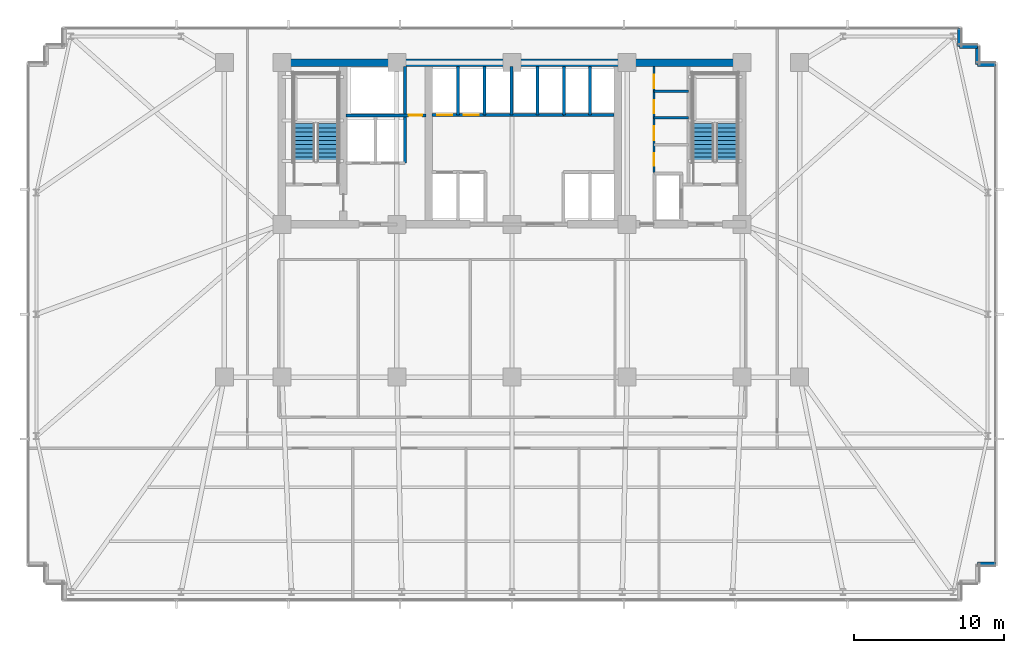
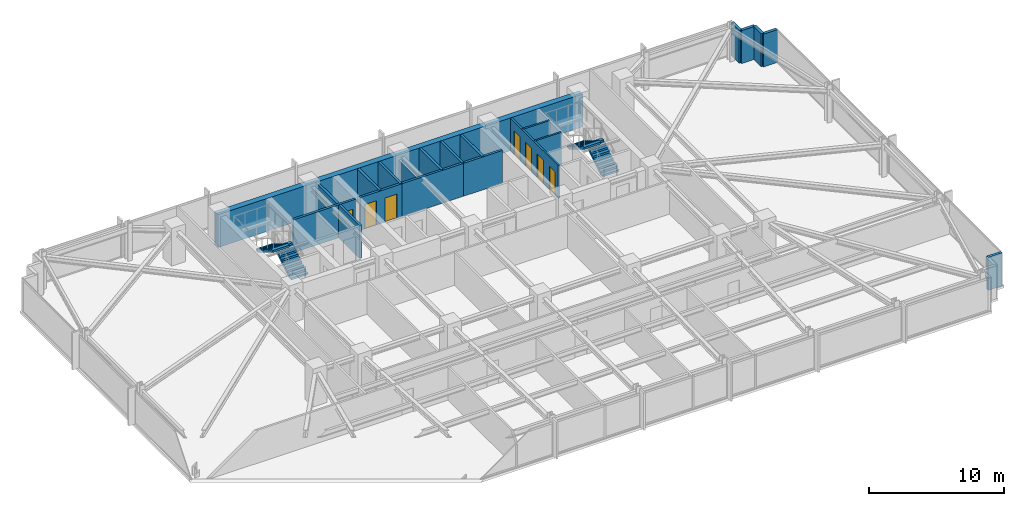
# One storey, part 26 of 32: 20 walls, 7 doors, 4 stair flights, 7 openings, 2 elements without a shape of their own.
"""IFC4 building model written with IfcOpenShell, lengths in metres."""

from ifc_helpers import new_model, si_unit, direction, frame, frame_2d, origin, place, context, subcontext, project, spatial, polyline, rectangle, outline, extrude, material, layer, layer_set, type_object, element, fill, aggregate, save


model = new_model("IFC4")

# Units and contexts
model_context = context("Model", 3, precision=1e-05, world=origin(), true_north=direction((0.0, 1.0)))
body_context = subcontext(model_context, "Body", "Model", "MODEL_VIEW")
ifc_project = project(units=[si_unit("LENGTHUNIT", "METRE"), si_unit("AREAUNIT", "SQUARE_METRE"), si_unit("VOLUMEUNIT", "CUBIC_METRE"), si_unit("PLANEANGLEUNIT", "RADIAN"), si_unit("MASSUNIT", "GRAM", prefix="KILO")], contexts=[model_context])

# Site, building, storey
site_placement = place(None, origin())
site = spatial("IfcSite", under=ifc_project, at=site_placement, CompositionType="ELEMENT")
building_placement = place(site_placement, origin())
building = spatial("IfcBuilding", under=site, at=building_placement, Name="Yelkora Congress Tower", CompositionType="ELEMENT")
storey_placement = place(building_placement, frame((0.0, 0.0, 74.60009765625)))
storey = spatial("IfcBuildingStorey", under=building, at=storey_placement, Name="L19", CompositionType="ELEMENT", Elevation=74.60009765625)

# Walls
ifc_material_1 = material(Name="Concrete C60/75", Category="concrete")
ifc_layer_1 = layer(ifc_material_1, 0.5)
ifc_layer_set_1 = layer_set([ifc_layer_1], Name="Concrete C60/75")
wall_type_1 = type_object("IfcWallType", Name="WALL-CORE-INT-500", PredefinedType="SHEAR", material=ifc_layer_set_1)
wall_1_placement = place(storey_placement, frame((22.7900390625, 46.199951171875, 0.0), z_axis=(0.0, 0.0, 1.0), x_axis=(1.0, 0.0, 0.0)))
element("IfcWall", 1, at=wall_1_placement, inside=storey, type_object=wall_type_1, Name="L19 Rear Core North Shear Wall", PredefinedType="SHEAR", context=body_context, shape_type="SweptSolid", body=[
    extrude(rectangle(XDim=31.219970703125, YDim=0.5, at=frame_2d((15.60986328125, 0.0))), origin(), (0.0, 0.0, 1.0), 2.97998046875),
])
ifc_material_2 = material(Name="Concrete C40/50", Category="concrete")
ifc_layer_2 = layer(ifc_material_2, 0.239990234375)
ifc_layer_set_2 = layer_set([ifc_layer_2], Name="Concrete C40/50")
wall_type_2 = type_object("IfcWallType", Name="WALL-EXT-LIMESTONE-240", PredefinedType="SOLIDWALL", material=ifc_layer_set_2)
for number, where, z_axis, x_axis, name in (
    (2, (68.260009765625, 48.4599609375, 0.0), (0.0, 0.0, 1.0), (0.0, -1.0, 0.0), "L19 Serrated Corner Limestone Pier 11"),
    (3, (68.260009765625, 47.260009765625, 0.0), (0.0, 0.0, 1.0), (1.0, 0.0, 0.0), "L19 Serrated Corner Limestone Pier 12"),
    (4, (69.4599609375, 47.260009765625, 0.0), (0.0, 0.0, 1.0), (0.0, -1.0, 0.0), "L19 Serrated Corner Limestone Pier 13"),
    (5, (69.4599609375, 46.06005859375, 0.0), (0.0, 0.0, 1.0), (1.0, 0.0, 0.0), "L19 Serrated Corner Limestone Pier 14"),
    (6, (70.659912109375, 12.739990234375, 0.0), (0.0, 0.0, 1.0), (-1.0, 0.0, 0.0), "L19 Serrated Corner Limestone Pier 16"),
):
    element("IfcWall", number, at=place(storey_placement, frame(where, z_axis=z_axis, x_axis=x_axis)), inside=storey, type_object=wall_type_2, Name=name, PredefinedType="SOLIDWALL", context=body_context, shape_type="SweptSolid", body=[
        extrude(rectangle(XDim=1.199951171875, YDim=0.239990234375, at=frame_2d((0.60009765625, 0.0))), origin(), (0.0, 0.0, 1.0), 2.97998046875),
    ])
ifc_material_3 = material(Name="Acoustic metal-stud gypsum partition", Category="gypsum")
ifc_layer_3 = layer(ifc_material_3, 0.14990234375)
ifc_layer_set_3 = layer_set([ifc_layer_3], Name="Acoustic metal-stud gypsum partition")
wall_type_3 = type_object("IfcWallType", Name="WALL-INT-150-NR", PredefinedType="PARTITIONING", material=ifc_layer_set_3)
for number, where, z_axis, x_axis, name in (
    (7, (47.8798828125, 42.52001953125, 0.0), (0.0, 0.0, 1.0), (1.0, 0.0, 0.0), "L19 Partition Wall 29"),
    (8, (47.8798828125, 44.280029296875, 0.0), (0.0, 0.0, 1.0), (1.0, 0.0, 0.0), "L19 Partition Wall 30"),
):
    element("IfcWall", number, at=place(storey_placement, frame(where, z_axis=z_axis, x_axis=x_axis)), inside=storey, type_object=wall_type_3, Name=name, PredefinedType="PARTITIONING", context=body_context, shape_type="SweptSolid", body=[
        extrude(rectangle(XDim=2.300048828125, YDim=0.14990234375, at=frame_2d((1.14990234375, 0.0))), origin(), (0.0, 0.0, 1.0), 2.97998046875),
    ])

# Wall, openings, doors
wall_2_placement = place(storey_placement, frame((47.8798828125, 38.85009765625, 0.0), z_axis=(0.0, 0.0, 1.0), x_axis=(0.0, 1.0, 0.0)))
wall_2 = element("IfcWall", 9, at=wall_2_placement, inside=storey, type_object=wall_type_3, Name="L19 Partition Wall 31", PredefinedType="PARTITIONING", context=body_context, shape_type="SweptSolid", body=[
    extrude(rectangle(XDim=7.06982421875, YDim=0.14990234375, at=frame_2d((3.534912109375, 0.0))), origin(), (0.0, 0.0, 1.0), 2.97998046875),
])
opening_1_placement = place(wall_2_placement, frame((0.449951171875, 0.0, 0.0)))
opening_1 = element("IfcOpeningElement", 10, at=opening_1_placement, cuts=wall_2, Name="Opening DR-085N", PredefinedType="OPENING", context=body_context, shape_type="SweptSolid", body=[
    extrude(rectangle(XDim=0.85009765625, YDim=2.14990234375, at=frame_2d((0.425048828125, 1.074951171875))), frame((0.0, 0.0849609375, 0.0), z_axis=(0.0, -1.0, 0.0), x_axis=(1.0, 0.0, 0.0)), (0.0, 0.0, 1.0), 0.169921875),
])
opening_2_placement = place(wall_2_placement, frame((2.14990234375, 0.0, 0.0)))
opening_2 = element("IfcOpeningElement", 11, at=opening_2_placement, cuts=wall_2, Name="Opening DR-095N", PredefinedType="OPENING", context=body_context, shape_type="SweptSolid", body=[
    extrude(rectangle(XDim=0.949951171875, YDim=2.14990234375, at=frame_2d((0.47509765625, 1.074951171875))), frame((0.0, 0.0849609375, 0.0), z_axis=(0.0, -1.0, 0.0), x_axis=(1.0, 0.0, 0.0)), (0.0, 0.0, 1.0), 0.169921875),
])
opening_3_placement = place(wall_2_placement, frame((3.949951171875, 0.0, 0.0)))
opening_3 = element("IfcOpeningElement", 12, at=opening_3_placement, cuts=wall_2, Name="Opening DR-090N", PredefinedType="OPENING", context=body_context, shape_type="SweptSolid", body=[
    extrude(rectangle(XDim=0.89990234375, YDim=2.14990234375, at=frame_2d((0.449951171875, 1.074951171875))), frame((0.0, 0.0849609375, 0.0), z_axis=(0.0, -1.0, 0.0), x_axis=(1.0, 0.0, 0.0)), (0.0, 0.0, 1.0), 0.169921875),
])
opening_4_placement = place(wall_2_placement, frame((5.64990234375, 0.0, 0.0)))
opening_4 = element("IfcOpeningElement", 13, at=opening_4_placement, cuts=wall_2, Name="Opening DR-090N", PredefinedType="OPENING", context=body_context, shape_type="SweptSolid", body=[
    extrude(rectangle(XDim=0.89990234375, YDim=2.14990234375, at=frame_2d((0.449951171875, 1.074951171875))), frame((0.0, 0.0849609375, 0.0), z_axis=(0.0, -1.0, 0.0), x_axis=(1.0, 0.0, 0.0)), (0.0, 0.0, 1.0), 0.169921875),
])
ifc_material_4 = material(Name="Laminate service store door leaf", Category="wood")
door_type_1 = type_object("IfcDoorType", Name="DOOR-INT-850", OperationType="NOTDEFINED", PredefinedType="DOOR", material=ifc_material_4)
door_1_placement = place(opening_1_placement, origin())
door_1 = element("IfcDoor", 14, at=door_1_placement, inside=storey, type_object=door_type_1, Name="L19 Janitor Room Door", OperationType="SINGLE_SWING_RIGHT", OverallHeight=2.14990234375, OverallWidth=0.85009765625, PredefinedType="DOOR", context=body_context, shape_type="SweptSolid", body=[
    extrude(rectangle(XDim=0.85009765625, YDim=2.14990234375, at=frame_2d((0.425048828125, 1.074951171875))), frame((0.0, 0.02490234375, 0.0), z_axis=(0.0, -1.0, 0.0), x_axis=(1.0, 0.0, 0.0)), (0.0, 0.0, 1.0), 0.050048828125),
])
fill(opening_1, door_1)
ifc_material_5 = material(Name="Moisture-resistant laminate door leaf", Category="wood")
door_type_2 = type_object("IfcDoorType", Name="DOOR-INT-900", OperationType="NOTDEFINED", PredefinedType="DOOR", material=ifc_material_5)
door_2_placement = place(opening_3_placement, origin())
door_2 = element("IfcDoor", 15, at=door_2_placement, inside=storey, type_object=door_type_2, Name="L19 Male WC Door", OperationType="SINGLE_SWING_RIGHT", OverallHeight=2.14990234375, OverallWidth=0.89990234375, PredefinedType="DOOR", context=body_context, shape_type="SweptSolid", body=[
    extrude(rectangle(XDim=0.89990234375, YDim=2.14990234375, at=frame_2d((0.449951171875, 1.074951171875))), frame((0.0, 0.02490234375, 0.0), z_axis=(0.0, -1.0, 0.0), x_axis=(1.0, 0.0, 0.0)), (0.0, 0.0, 1.0), 0.050048828125),
])
fill(opening_3, door_2)
door_3_placement = place(opening_4_placement, origin())
door_3 = element("IfcDoor", 16, at=door_3_placement, inside=storey, type_object=door_type_2, Name="L19 Female WC Door", OperationType="SINGLE_SWING_LEFT", OverallHeight=2.14990234375, OverallWidth=0.89990234375, PredefinedType="DOOR", context=body_context, shape_type="SweptSolid", body=[
    extrude(rectangle(XDim=0.89990234375, YDim=2.14990234375, at=frame_2d((0.449951171875, 1.074951171875))), frame((0.0, 0.02490234375, 0.0), z_axis=(0.0, -1.0, 0.0), x_axis=(1.0, 0.0, 0.0)), (0.0, 0.0, 1.0), 0.050048828125),
])
fill(opening_4, door_3)
ifc_material_6 = material(Name="Acoustic laminated timber office door", Category="wood")
door_type_3 = type_object("IfcDoorType", Name="DOOR-INT-950", OperationType="NOTDEFINED", PredefinedType="DOOR", material=ifc_material_6)
door_4_placement = place(opening_2_placement, origin())
door_4 = element("IfcDoor", 17, at=door_4_placement, inside=storey, type_object=door_type_3, Name="L19 Accessible WC Door", OperationType="SINGLE_SWING_LEFT", OverallHeight=2.14990234375, OverallWidth=0.949951171875, PredefinedType="DOOR", context=body_context, shape_type="SweptSolid", body=[
    extrude(rectangle(XDim=0.949951171875, YDim=2.14990234375, at=frame_2d((0.47509765625, 1.074951171875))), frame((0.0, 0.02490234375, 0.0), z_axis=(0.0, -1.0, 0.0), x_axis=(1.0, 0.0, 0.0)), (0.0, 0.0, 1.0), 0.050048828125),
])
fill(opening_2, door_4)

# Wall
ifc_material_7 = material(Name="Autoclaved aerated concrete blockwork", Category="masonry")
ifc_layer_4 = layer(ifc_material_7, 0.199951171875)
ifc_layer_set_4 = layer_set([ifc_layer_4], Name="Autoclaved aerated concrete blockwork")
wall_type_4 = type_object("IfcWallType", Name="WALL-INT-200-R120", PredefinedType="PARTITIONING", material=ifc_layer_set_4)
wall_3_placement = place(storey_placement, frame((31.260009765625, 39.47998046875, 0.0), z_axis=(0.0, 0.0, 1.0), x_axis=(0.0, 1.0, 0.0)))
element("IfcWall", 18, at=wall_3_placement, inside=storey, type_object=wall_type_4, Name="L19 Partition Wall 5", PredefinedType="PARTITIONING", context=body_context, shape_type="SweptSolid", body=[
    extrude(rectangle(XDim=6.43994140625, YDim=0.199951171875, at=frame_2d((3.219970703125, 0.0))), origin(), (0.0, 0.0, 1.0), 2.97998046875),
])

# Wall, opening, door
wall_4_placement = place(storey_placement, frame((27.320068359375, 42.679931640625, 0.0), z_axis=(0.0, 0.0, 1.0), x_axis=(1.0, 0.0, 0.0)))
wall_4 = element("IfcWall", 19, at=wall_4_placement, inside=storey, type_object=wall_type_4, Name="L19 Smoke Riser South Wall", PredefinedType="PARTITIONING", context=body_context, shape_type="SweptSolid", body=[
    extrude(rectangle(XDim=5.329833984375, YDim=0.199951171875, at=frame_2d((2.6650390625, 0.0))), origin(), (0.0, 0.0, 1.0), 2.97998046875),
])
opening_5_placement = place(wall_4_placement, frame((4.179931640625, 0.0, 0.0)))
opening_5 = element("IfcOpeningElement", 20, at=opening_5_placement, cuts=wall_4, Name="Opening DR-090F6", PredefinedType="OPENING", context=body_context, shape_type="SweptSolid", body=[
    extrude(rectangle(XDim=0.89990234375, YDim=2.14990234375, at=frame_2d((0.449951171875, 1.074951171875))), frame((0.0, 0.10986328125, 0.0), z_axis=(0.0, -1.0, 0.0), x_axis=(1.0, 0.0, 0.0)), (0.0, 0.0, 1.0), 0.219970703125),
])
ifc_material_8 = material(Name="Painted steel riser fire door leaf", Category="steel")
door_type_4 = type_object("IfcDoorType", Name="DOOR-FD60-900", OperationType="NOTDEFINED", PredefinedType="DOOR", material=ifc_material_8)
door_5_placement = place(opening_5_placement, origin())
door_5 = element("IfcDoor", 21, at=door_5_placement, inside=storey, type_object=door_type_4, Name="L19 Riser Access Door", OperationType="SINGLE_SWING_LEFT", OverallHeight=2.14990234375, OverallWidth=0.89990234375, PredefinedType="DOOR", context=body_context, shape_type="SweptSolid", body=[
    extrude(rectangle(XDim=0.89990234375, YDim=2.14990234375, at=frame_2d((0.449951171875, 1.074951171875))), frame((0.0, 0.02490234375, 0.0), z_axis=(0.0, -1.0, 0.0), x_axis=(1.0, 0.0, 0.0)), (0.0, 0.0, 1.0), 0.050048828125),
])
fill(opening_5, door_5)

# Walls
wall_5_placement = place(storey_placement, frame((36.60009765625, 42.699951171875, 0.0), z_axis=(0.0, 0.0, 1.0), x_axis=(1.0, 0.0, 0.0)))
element("IfcWall", 22, at=wall_5_placement, inside=storey, type_object=wall_type_4, Name="L19 Partition Wall 8", PredefinedType="PARTITIONING", context=body_context, shape_type="SweptSolid", body=[
    extrude(rectangle(XDim=5.25, YDim=0.199951171875, at=frame_2d((2.625, 0.0))), origin(), (0.0, 0.0, 1.0), 2.97998046875),
])
wall_6_placement = place(storey_placement, frame((38.35009765625, 42.699951171875, 0.0), z_axis=(0.0, 0.0, 1.0), x_axis=(0.0, 1.0, 0.0)))
element("IfcWall", 23, at=wall_6_placement, inside=storey, type_object=wall_type_4, Name="L19 Partition Wall 9", PredefinedType="PARTITIONING", context=body_context, shape_type="SweptSolid", body=[
    extrude(rectangle(XDim=3.219970703125, YDim=0.199951171875, at=frame_2d((1.60986328125, 0.0))), origin(), (0.0, 0.0, 1.0), 2.52490234375),
])
wall_7_placement = place(storey_placement, frame((40.10009765625, 42.699951171875, 0.0), z_axis=(0.0, 0.0, 1.0), x_axis=(0.0, 1.0, 0.0)))
element("IfcWall", 24, at=wall_7_placement, inside=storey, type_object=wall_type_4, Name="L19 Partition Wall 10", PredefinedType="PARTITIONING", context=body_context, shape_type="SweptSolid", body=[
    extrude(rectangle(XDim=3.219970703125, YDim=0.199951171875, at=frame_2d((1.60986328125, 0.0))), origin(), (0.0, 0.0, 1.0), 2.97998046875),
])

# Wall, openings, doors
wall_8_placement = place(storey_placement, frame((33.050048828125, 42.699951171875, 0.0), z_axis=(0.0, 0.0, 1.0), x_axis=(1.0, 0.0, 0.0)))
wall_8 = element("IfcWall", 25, at=wall_8_placement, inside=storey, type_object=wall_type_4, Name="L19 Partition Wall 12", PredefinedType="PARTITIONING", context=body_context, shape_type="SweptSolid", body=[
    extrude(rectangle(XDim=3.570068359375, YDim=0.199951171875, at=frame_2d((1.78515625, 0.0))), origin(), (0.0, 0.0, 1.0), 2.97998046875),
])
opening_6_placement = place(wall_8_placement, frame((0.375, 0.0, 0.0)))
opening_6 = element("IfcOpeningElement", 26, at=opening_6_placement, cuts=wall_8, Name="Opening LD-PS10", PredefinedType="OPENING", context=body_context, shape_type="SweptSolid", body=[
    extrude(rectangle(XDim=1.0, YDim=2.199951171875, at=frame_2d((0.5, 1.10009765625))), frame((0.0, 0.10986328125, 0.0), z_axis=(0.0, -1.0, 0.0), x_axis=(1.0, 0.0, 0.0)), (0.0, 0.0, 1.0), 0.219970703125),
])
opening_7_placement = place(wall_8_placement, frame((2.125, 0.0, 0.0)))
opening_7 = element("IfcOpeningElement", 27, at=opening_7_placement, cuts=wall_8, Name="Opening LD-PS10", PredefinedType="OPENING", context=body_context, shape_type="SweptSolid", body=[
    extrude(rectangle(XDim=1.0, YDim=2.199951171875, at=frame_2d((0.5, 1.10009765625))), frame((0.0, 0.10986328125, 0.0), z_axis=(0.0, -1.0, 0.0), x_axis=(1.0, 0.0, 0.0)), (0.0, 0.0, 1.0), 0.219970703125),
])
ifc_material_9 = material(Name="Champagne stainless steel landing door", Category="steel")
door_type_5 = type_object("IfcDoorType", Name="DOOR-LIFT-PAS-1000", OperationType="DOUBLE_DOOR_SLIDING", PredefinedType="DOOR", material=ifc_material_9)
door_6_placement = place(opening_6_placement, origin())
door_6 = element("IfcDoor", 28, at=door_6_placement, inside=storey, type_object=door_type_5, Name="Lift Landing Door LF-P3 L19", OperationType="DOUBLE_DOOR_SLIDING", OverallHeight=2.199951171875, OverallWidth=1.0, PredefinedType="DOOR", context=body_context, shape_type="SweptSolid", body=[
    extrude(rectangle(XDim=1.0, YDim=2.199951171875, at=frame_2d((0.5, 1.10009765625))), frame((0.0, 0.02490234375, 0.0), z_axis=(0.0, -1.0, 0.0), x_axis=(1.0, 0.0, 0.0)), (0.0, 0.0, 1.0), 0.050048828125),
])
fill(opening_6, door_6)
door_7_placement = place(opening_7_placement, origin())
door_7 = element("IfcDoor", 29, at=door_7_placement, inside=storey, type_object=door_type_5, Name="Lift Landing Door LF-P4 L19", OperationType="DOUBLE_DOOR_SLIDING", OverallHeight=2.199951171875, OverallWidth=1.0, PredefinedType="DOOR", context=body_context, shape_type="SweptSolid", body=[
    extrude(rectangle(XDim=1.0, YDim=2.199951171875, at=frame_2d((0.5, 1.10009765625))), frame((0.0, 0.02490234375, 0.0), z_axis=(0.0, -1.0, 0.0), x_axis=(1.0, 0.0, 0.0)), (0.0, 0.0, 1.0), 0.050048828125),
])
fill(opening_7, door_7)

# Walls
for number, where, z_axis, x_axis, name in (
    (30, (34.800048828125, 42.699951171875, 0.0), (0.0, 0.0, 1.0), (0.0, 1.0, 0.0), "L19 Partition Wall 14"),
    (31, (36.580078125, 42.699951171875, 0.0), (0.0, 0.0, 1.0), (0.0, 1.0, 0.0), "L19 Partition Wall 16"),
):
    element("IfcWall", number, at=place(storey_placement, frame(where, z_axis=z_axis, x_axis=x_axis)), inside=storey, type_object=wall_type_4, Name=name, PredefinedType="PARTITIONING", context=body_context, shape_type="SweptSolid", body=[
        extrude(rectangle(XDim=3.219970703125, YDim=0.199951171875, at=frame_2d((1.60986328125, 0.0))), origin(), (0.0, 0.0, 1.0), 2.97998046875),
    ])
wall_9_placement = place(storey_placement, frame((41.85009765625, 42.699951171875, 0.0), z_axis=(0.0, 0.0, 1.0), x_axis=(1.0, 0.0, 0.0)))
element("IfcWall", 32, at=wall_9_placement, inside=storey, type_object=wall_type_4, Name="L19 Partition Wall 18", PredefinedType="PARTITIONING", context=body_context, shape_type="SweptSolid", body=[
    extrude(rectangle(XDim=3.369873046875, YDim=0.199951171875, at=frame_2d((1.68505859375, 0.0))), origin(), (0.0, 0.0, 1.0), 2.97998046875),
])
for number, where, z_axis, x_axis, name in (
    (33, (43.60009765625, 42.699951171875, 0.0), (0.0, 0.0, 1.0), (0.0, 1.0, 0.0), "L19 Partition Wall 20"),
    (34, (41.8798828125, 42.699951171875, 0.0), (0.0, 0.0, 1.0), (0.0, 1.0, 0.0), "L19 Partition Wall 22"),
):
    element("IfcWall", number, at=place(storey_placement, frame(where, z_axis=z_axis, x_axis=x_axis)), inside=storey, type_object=wall_type_4, Name=name, PredefinedType="PARTITIONING", context=body_context, shape_type="SweptSolid", body=[
        extrude(rectangle(XDim=3.219970703125, YDim=0.199951171875, at=frame_2d((1.60986328125, 0.0))), origin(), (0.0, 0.0, 1.0), 2.97998046875),
    ])

# Stair, stair flights
stair_type = type_object("IfcStairType", Name="STAIR-HT-1420-R20-170", PredefinedType="HALF_TURN_STAIR", material=ifc_material_2)
stair_1_placement = place(storey_placement, origin())
stair_1 = element("IfcStair", 35, at=stair_1_placement, inside=storey, type_object=stair_type, Name="West Core Protected Exit Stair ST-01 (L19)", PredefinedType="HALF_TURN_STAIR")
stair_flight_type = type_object("IfcStairFlightType", Name="FLIGHT-1420-N10-R170-G280", PredefinedType="STRAIGHT", material=ifc_material_2)
stair_flight_1_placement = place(storey_placement, frame((26.110107421875, 39.60009765625, 0.0), z_axis=(0.0, 0.0, 1.0), x_axis=(0.0, 1.0, 0.0)))
stair_flight_1 = element("IfcStairFlight", 36, at=stair_flight_1_placement, type_object=stair_flight_type, Name="ST-01 L19 Flight 1", NumberOfRisers=10, NumberOfTreads=9, PredefinedType="STRAIGHT", RiserHeight=0.17, TreadLength=0.28, context=body_context, shape_type="SweptSolid", body=[
    extrude(outline(polyline([(0.0, 0.0), (0.0, 0.169921875), (0.280029296875, 0.169921875), (0.280029296875, 0.340087890625), (0.56005859375, 0.340087890625), (0.56005859375, 0.510009765625), (0.840087890625, 0.510009765625), (0.840087890625, 0.679931640625), (1.1201171875, 0.679931640625), (1.1201171875, 0.85009765625), (1.39990234375, 0.85009765625), (1.39990234375, 1.02001953125), (1.679931640625, 1.02001953125), (1.679931640625, 1.18994140625), (1.9599609375, 1.18994140625), (1.9599609375, 1.360107421875), (2.239990234375, 1.360107421875), (2.239990234375, 1.530029296875), (2.52001953125, 1.530029296875), (2.52001953125, 1.699951171875), (2.52001953125, 1.343017578125), (0.30810546875, 0.0), (0.0, 0.0)])), frame((0.0, 0.7099609375, 0.0), z_axis=(0.0, -1.0, 0.0), x_axis=(1.0, 0.0, 0.0)), (0.0, 0.0, 1.0), 1.419921875),
])
stair_flight_2_placement = place(storey_placement, frame((24.530029296875, 42.1201171875, 1.699951171875), z_axis=(0.0, 0.0, 1.0), x_axis=(0.0, -1.0, 0.0)))
stair_flight_2 = element("IfcStairFlight", 37, at=stair_flight_2_placement, type_object=stair_flight_type, Name="ST-01 L19 Flight 2", NumberOfRisers=10, NumberOfTreads=9, PredefinedType="STRAIGHT", RiserHeight=0.17, TreadLength=0.28, context=body_context, shape_type="SweptSolid", body=[
    extrude(outline(polyline([(0.0, 0.0), (0.0, 0.169921875), (0.280029296875, 0.169921875), (0.280029296875, 0.340087890625), (0.56005859375, 0.340087890625), (0.56005859375, 0.510009765625), (0.840087890625, 0.510009765625), (0.840087890625, 0.679931640625), (1.1201171875, 0.679931640625), (1.1201171875, 0.85009765625), (1.39990234375, 0.85009765625), (1.39990234375, 1.02001953125), (1.679931640625, 1.02001953125), (1.679931640625, 1.18994140625), (1.9599609375, 1.18994140625), (1.9599609375, 1.360107421875), (2.239990234375, 1.360107421875), (2.239990234375, 1.530029296875), (2.52001953125, 1.530029296875), (2.52001953125, 1.699951171875), (2.52001953125, 1.343017578125), (0.30810546875, 0.0), (0.0, 0.0)])), frame((0.0, 0.7099609375, 0.0), z_axis=(0.0, -1.0, 0.0), x_axis=(1.0, 0.0, 0.0)), (0.0, 0.0, 1.0), 1.419921875),
])
aggregate(stair_1, [stair_flight_1, stair_flight_2])

stair_2_placement = place(storey_placement, origin())
stair_2 = element("IfcStair", 38, at=stair_2_placement, inside=storey, type_object=stair_type, Name="East Core Protected Exit Stair ST-02 (L19)", PredefinedType="HALF_TURN_STAIR")
stair_flight_3_placement = place(storey_placement, frame((52.75, 39.60009765625, 0.0), z_axis=(0.0, 0.0, 1.0), x_axis=(0.0, 1.0, 0.0)))
stair_flight_3 = element("IfcStairFlight", 39, at=stair_flight_3_placement, type_object=stair_flight_type, Name="ST-02 L19 Flight 1", NumberOfRisers=10, NumberOfTreads=9, PredefinedType="STRAIGHT", RiserHeight=0.17, TreadLength=0.28, context=body_context, shape_type="SweptSolid", body=[
    extrude(outline(polyline([(0.0, 0.0), (0.0, 0.169921875), (0.280029296875, 0.169921875), (0.280029296875, 0.340087890625), (0.56005859375, 0.340087890625), (0.56005859375, 0.510009765625), (0.840087890625, 0.510009765625), (0.840087890625, 0.679931640625), (1.1201171875, 0.679931640625), (1.1201171875, 0.85009765625), (1.39990234375, 0.85009765625), (1.39990234375, 1.02001953125), (1.679931640625, 1.02001953125), (1.679931640625, 1.18994140625), (1.9599609375, 1.18994140625), (1.9599609375, 1.360107421875), (2.239990234375, 1.360107421875), (2.239990234375, 1.530029296875), (2.52001953125, 1.530029296875), (2.52001953125, 1.699951171875), (2.52001953125, 1.343017578125), (0.30810546875, 0.0), (0.0, 0.0)])), frame((0.0, 0.7099609375, 0.0), z_axis=(0.0, -1.0, 0.0), x_axis=(1.0, 0.0, 0.0)), (0.0, 0.0, 1.0), 1.419921875),
])
stair_flight_4_placement = place(storey_placement, frame((51.169921875, 42.1201171875, 1.699951171875), z_axis=(0.0, 0.0, 1.0), x_axis=(0.0, -1.0, 0.0)))
stair_flight_4 = element("IfcStairFlight", 40, at=stair_flight_4_placement, type_object=stair_flight_type, Name="ST-02 L19 Flight 2", NumberOfRisers=10, NumberOfTreads=9, PredefinedType="STRAIGHT", RiserHeight=0.17, TreadLength=0.28, context=body_context, shape_type="SweptSolid", body=[
    extrude(outline(polyline([(0.0, 0.0), (0.0, 0.169921875), (0.280029296875, 0.169921875), (0.280029296875, 0.340087890625), (0.56005859375, 0.340087890625), (0.56005859375, 0.510009765625), (0.840087890625, 0.510009765625), (0.840087890625, 0.679931640625), (1.1201171875, 0.679931640625), (1.1201171875, 0.85009765625), (1.39990234375, 0.85009765625), (1.39990234375, 1.02001953125), (1.679931640625, 1.02001953125), (1.679931640625, 1.18994140625), (1.9599609375, 1.18994140625), (1.9599609375, 1.360107421875), (2.239990234375, 1.360107421875), (2.239990234375, 1.530029296875), (2.52001953125, 1.530029296875), (2.52001953125, 1.699951171875), (2.52001953125, 1.343017578125), (0.30810546875, 0.0), (0.0, 0.0)])), frame((0.0, 0.7099609375, 0.0), z_axis=(0.0, -1.0, 0.0), x_axis=(1.0, 0.0, 0.0)), (0.0, 0.0, 1.0), 1.419921875),
])
aggregate(stair_2, [stair_flight_3, stair_flight_4])

save(model, "model.ifc")
